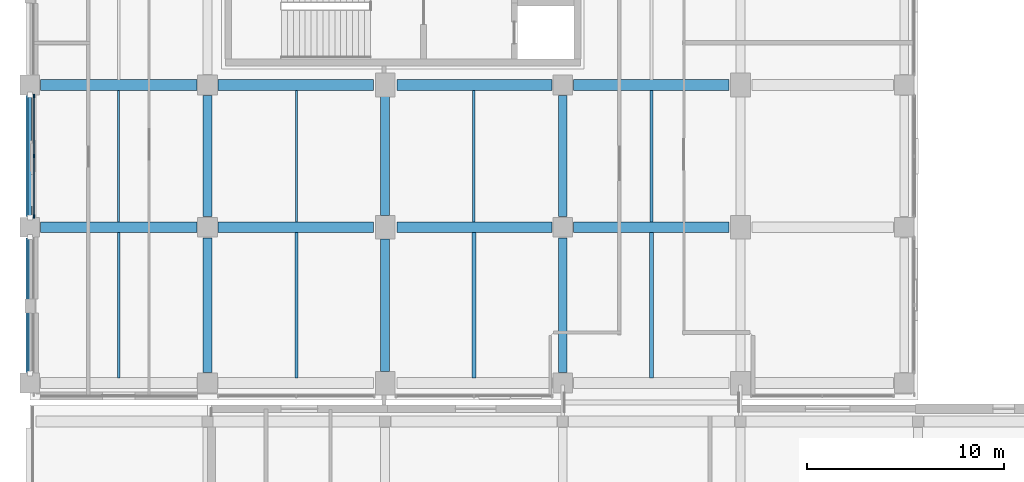
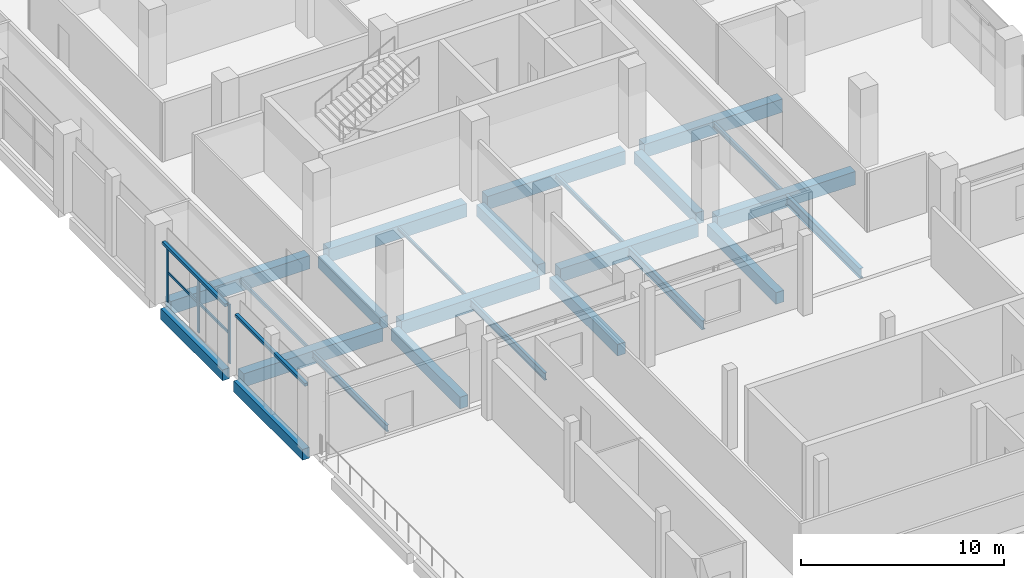
# One storey, part 9 of 111: 24 beams, 7 members, 1 element without a shape of its own.
"""IFC4 building model written with IfcOpenShell, lengths in metres."""

from ifc_helpers import new_model, si_unit, direction, frame, origin, origin_2d, place, context, subcontext, project, spatial, rectangle, hollow_rectangle, i_section, extrude, material, material_profile, profile_set, type_object, element, aggregate, save


model = new_model("IFC4")

# Units and contexts
model_context = context("Model", 3, precision=1e-05, world=origin(), true_north=direction((0.0, 1.0)))
body_context = subcontext(model_context, "Body", "Model", "MODEL_VIEW")
ifc_project = project(units=[si_unit("LENGTHUNIT", "METRE"), si_unit("AREAUNIT", "SQUARE_METRE"), si_unit("VOLUMEUNIT", "CUBIC_METRE"), si_unit("PLANEANGLEUNIT", "RADIAN"), si_unit("MASSUNIT", "GRAM", prefix="KILO"), si_unit("THERMODYNAMICTEMPERATUREUNIT", "KELVIN"), si_unit("POWERUNIT", "WATT")], contexts=[model_context])

# Site, building, storey
site_placement = place(None, origin())
site = spatial("IfcSite", under=ifc_project, at=site_placement, CompositionType="ELEMENT")
building_placement = place(site_placement, origin())
building = spatial("IfcBuilding", under=site, at=building_placement, Name="Sindhuravela Promenade Stadium", CompositionType="ELEMENT")
storey_placement = place(building_placement, frame((0.0, 0.0, 9.60009765625)))
storey = spatial("IfcBuildingStorey", under=building, at=storey_placement, Name="L02", CompositionType="ELEMENT", Elevation=9.60009765625)

# Curtain wall, members
ifc_material_1 = material(Name="Anodised architectural aluminium 6063-T6", Category="aluminium")
curtain_wall_type = type_object("IfcCurtainWallType", Name="CW-MOD-7", PredefinedType="NOTDEFINED", material=ifc_material_1)
curtain_wall_placement = place(storey_placement, origin())
curtain_wall = element("IfcCurtainWall", 1, at=curtain_wall_placement, inside=storey, type_object=curtain_wall_type, Name="Bronze curtain wall CW-WEST-L02-006", PredefinedType="NOTDEFINED")
ifc_material_profile_1 = material_profile(ifc_material_1, rectangle(XDim=0.074951171875, YDim=0.175048828125, at=origin_2d()), Name="ALU MULL 75x175")
ifc_profile_set_1 = profile_set([ifc_material_profile_1], Name="Anodised architectural aluminium 6063-T6")
member_type_1 = type_object("IfcMemberType", Name="CW-MUL-1", PredefinedType="MULLION", material=ifc_profile_set_1)
member_1_placement = place(storey_placement, frame((0.199951171875, 45.550048828125, 0.0), z_axis=(0.0, 0.0, 1.0), x_axis=(1.0, 0.0, 0.0)))
member_1 = element("IfcMember", 2, at=member_1_placement, type_object=member_type_1, Name="Curtain wall mullion CW-WEST-L02-006-M1", PredefinedType="MULLION", context=body_context, shape_type="SweptSolid", body=[
    extrude(rectangle(XDim=0.074951171875, YDim=0.175048828125, at=origin_2d()), origin(), (0.0, 0.0, 1.0), 3.579833984375),
])
member_2_placement = place(storey_placement, frame((0.199951171875, 48.60009765625, 0.0), z_axis=(0.0, 0.0, 1.0), x_axis=(1.0, 0.0, 0.0)))
member_2 = element("IfcMember", 3, at=member_2_placement, type_object=member_type_1, Name="Curtain wall mullion CW-WEST-L02-006-M2", PredefinedType="MULLION", context=body_context, shape_type="SweptSolid", body=[
    extrude(rectangle(XDim=0.074951171875, YDim=0.175048828125, at=origin_2d()), origin(), (0.0, 0.0, 1.0), 3.579833984375),
])
member_3_placement = place(storey_placement, frame((0.199951171875, 51.64990234375, 0.0), z_axis=(0.0, 0.0, 1.0), x_axis=(1.0, 0.0, 0.0)))
member_3 = element("IfcMember", 4, at=member_3_placement, type_object=member_type_1, Name="Curtain wall mullion CW-WEST-L02-006-M3", PredefinedType="MULLION", context=body_context, shape_type="SweptSolid", body=[
    extrude(rectangle(XDim=0.074951171875, YDim=0.175048828125, at=origin_2d()), origin(), (0.0, 0.0, 1.0), 3.579833984375),
])
ifc_material_profile_2 = material_profile(ifc_material_1, rectangle(XDim=0.074951171875, YDim=0.14990234375, at=origin_2d()), Name="ALU TRAN 75x150")
ifc_profile_set_2 = profile_set([ifc_material_profile_2], Name="Anodised architectural aluminium 6063-T6")
member_type_2 = type_object("IfcMemberType", Name="CW-TRN-1", PredefinedType="USERDEFINED", material=ifc_profile_set_2)
member_4_placement = place(storey_placement, frame((0.199951171875, 45.52490234375, 1.789794921875), z_axis=(0.0, 1.0, 0.0), x_axis=(-1.0, 0.0, 0.0)))
member_4 = element("IfcMember", 5, at=member_4_placement, type_object=member_type_2, Name="Curtain wall transom CW-WEST-L02-006-T1", ObjectType="TRANSOM", PredefinedType="USERDEFINED", context=body_context, shape_type="SweptSolid", body=[
    extrude(rectangle(XDim=0.074951171875, YDim=0.14990234375, at=origin_2d()), origin(), (0.0, 0.0, 1.0), 6.150146484375),
])
member_5_placement = place(storey_placement, frame((0.199951171875, 45.52490234375, 3.5), z_axis=(0.0, 1.0, 0.0), x_axis=(-1.0, 0.0, 0.0)))
member_5 = element("IfcMember", 6, at=member_5_placement, type_object=member_type_2, Name="Curtain wall transom CW-WEST-L02-006-T2", ObjectType="TRANSOM", PredefinedType="USERDEFINED", context=body_context, shape_type="SweptSolid", body=[
    extrude(rectangle(XDim=0.074951171875, YDim=0.14990234375, at=origin_2d()), origin(), (0.0, 0.0, 1.0), 6.150146484375),
])
aggregate(curtain_wall, [member_1, member_2, member_3, member_4, member_5])

# Beams
ifc_material_2 = material(Name="Concrete M40", Category="concrete")
ifc_material_profile_3 = material_profile(ifc_material_2, rectangle(XDim=0.39990234375, YDim=0.64990234375, at=origin_2d()), Name="RC 400x650")
ifc_profile_set_3 = profile_set([ifc_material_profile_3], Name="Concrete M40")
beam_type_1 = type_object("IfcBeamType", Name="RC-BM-400x650", PredefinedType="SPANDREL", material=ifc_profile_set_3)
beam_1_placement = place(storey_placement, frame((0.0, 37.639892578125, -0.60498046875), z_axis=(0.0, 1.0, 0.0), x_axis=(-1.0, 0.0, 0.0)))
element("IfcBeam", 7, at=beam_1_placement, inside=storey, type_object=beam_type_1, Name="Primary beam SP01 WEST L02", PredefinedType="SPANDREL", context=body_context, shape_type="SweptSolid", body=[
    extrude(rectangle(XDim=0.39990234375, YDim=0.64990234375, at=origin_2d()), origin(), (0.0, 0.0, 1.0), 6.820068359375),
])
beam_2_placement = place(storey_placement, frame((0.0, 45.5400390625, -0.60498046875), z_axis=(0.0, 1.0, 0.0), x_axis=(-1.0, 0.0, 0.0)))
element("IfcBeam", 8, at=beam_2_placement, inside=storey, type_object=beam_type_1, Name="Primary beam SP01 WEST L02", PredefinedType="SPANDREL", context=body_context, shape_type="SweptSolid", body=[
    extrude(rectangle(XDim=0.39990234375, YDim=0.64990234375, at=origin_2d()), origin(), (0.0, 0.0, 1.0), 6.119873046875),
])
ifc_material_profile_4 = material_profile(ifc_material_2, rectangle(XDim=0.449951171875, YDim=0.699951171875, at=origin_2d()), Name="RC 450x700")
ifc_profile_set_4 = profile_set([ifc_material_profile_4], Name="Concrete M40")
beam_type_2 = type_object("IfcBeamType", Name="RC-BM-450x700", PredefinedType="BEAM", material=ifc_profile_set_4)
beam_3_placement = place(storey_placement, frame((9.0, 37.639892578125, -0.630126953125), z_axis=(0.0, 1.0, 0.0), x_axis=(-1.0, 0.0, 0.0)))
element("IfcBeam", 9, at=beam_3_placement, inside=storey, type_object=beam_type_2, Name="Primary beam GB07 WEST L02", PredefinedType="BEAM", context=body_context, shape_type="SweptSolid", body=[
    extrude(rectangle(XDim=0.449951171875, YDim=0.699951171875, at=origin_2d()), origin(), (0.0, 0.0, 1.0), 6.820068359375),
])
beam_4_placement = place(storey_placement, frame((9.0, 45.5400390625, -0.630126953125), z_axis=(0.0, 1.0, 0.0), x_axis=(-1.0, 0.0, 0.0)))
element("IfcBeam", 10, at=beam_4_placement, inside=storey, type_object=beam_type_2, Name="Primary beam GB07 WEST L02", PredefinedType="BEAM", context=body_context, shape_type="SweptSolid", body=[
    extrude(rectangle(XDim=0.449951171875, YDim=0.699951171875, at=origin_2d()), origin(), (0.0, 0.0, 1.0), 6.119873046875),
])
beam_5_placement = place(storey_placement, frame((18.0, 37.68994140625, -0.630126953125), z_axis=(0.0, 1.0, 0.0), x_axis=(-1.0, 0.0, 0.0)))
element("IfcBeam", 11, at=beam_5_placement, inside=storey, type_object=beam_type_2, Name="Primary beam GB07 WEST L02", PredefinedType="BEAM", context=body_context, shape_type="SweptSolid", body=[
    extrude(rectangle(XDim=0.449951171875, YDim=0.699951171875, at=origin_2d()), origin(), (0.0, 0.0, 1.0), 6.719970703125),
])
beam_6_placement = place(storey_placement, frame((18.0, 45.590087890625, -0.630126953125), z_axis=(0.0, 1.0, 0.0), x_axis=(-1.0, 0.0, 0.0)))
element("IfcBeam", 12, at=beam_6_placement, inside=storey, type_object=beam_type_2, Name="Primary beam GB07 WEST L02", PredefinedType="BEAM", context=body_context, shape_type="SweptSolid", body=[
    extrude(rectangle(XDim=0.449951171875, YDim=0.699951171875, at=origin_2d()), origin(), (0.0, 0.0, 1.0), 6.02001953125),
])
beam_7_placement = place(storey_placement, frame((27.0, 37.639892578125, -0.630126953125), z_axis=(0.0, 1.0, 0.0), x_axis=(-1.0, 0.0, 0.0)))
element("IfcBeam", 13, at=beam_7_placement, inside=storey, type_object=beam_type_2, Name="Primary beam GB07 WEST L02", PredefinedType="BEAM", context=body_context, shape_type="SweptSolid", body=[
    extrude(rectangle(XDim=0.449951171875, YDim=0.699951171875, at=origin_2d()), origin(), (0.0, 0.0, 1.0), 6.820068359375),
])
beam_8_placement = place(storey_placement, frame((27.0, 45.5400390625, -0.630126953125), z_axis=(0.0, 1.0, 0.0), x_axis=(-1.0, 0.0, 0.0)))
element("IfcBeam", 14, at=beam_8_placement, inside=storey, type_object=beam_type_2, Name="Primary beam GB07 WEST L02", PredefinedType="BEAM", context=body_context, shape_type="SweptSolid", body=[
    extrude(rectangle(XDim=0.449951171875, YDim=0.699951171875, at=origin_2d()), origin(), (0.0, 0.0, 1.0), 6.119873046875),
])
ifc_material_profile_5 = material_profile(ifc_material_2, rectangle(XDim=0.550048828125, YDim=0.800048828125, at=origin_2d()), Name="RC 550x800")
ifc_profile_set_5 = profile_set([ifc_material_profile_5], Name="Concrete M40")
beam_type_3 = type_object("IfcBeamType", Name="RC-BM-550x800", PredefinedType="BEAM", material=ifc_profile_set_5)
beam_9_placement = place(storey_placement, frame((0.5400390625, 45.0, -0.68017578125), z_axis=(1.0, 0.0, 0.0), x_axis=(0.0, 1.0, 0.0)))
element("IfcBeam", 15, at=beam_9_placement, inside=storey, type_object=beam_type_3, Name="Primary girder GB05 WEST L02", PredefinedType="BEAM", context=body_context, shape_type="SweptSolid", body=[
    extrude(rectangle(XDim=0.550048828125, YDim=0.800048828125, at=origin_2d()), origin(), (0.0, 0.0, 1.0), 7.919921875),
])
for number, where, z_axis, x_axis, name in (
    (16, (9.5400390625, 45.0, -0.68017578125), (1.0, 0.0, 0.0), (0.0, 1.0, 0.0), "Primary girder GB05 WEST L02"),
    (17, (18.590087890625, 45.0, -0.68017578125), (1.0, 0.0, 0.0), (0.0, 1.0, 0.0), "Primary girder GB05 WEST L02"),
    (18, (27.5400390625, 45.0, -0.68017578125), (1.0, 0.0, 0.0), (0.0, 1.0, 0.0), "Primary girder GB05 WEST L02"),
):
    element("IfcBeam", number, at=place(storey_placement, frame(where, z_axis=z_axis, x_axis=x_axis)), inside=storey, type_object=beam_type_3, Name=name, PredefinedType="BEAM", context=body_context, shape_type="SweptSolid", body=[
        extrude(rectangle(XDim=0.550048828125, YDim=0.800048828125, at=origin_2d()), origin(), (0.0, 0.0, 1.0), 7.869873046875),
    ])
beam_10_placement = place(storey_placement, frame((0.5400390625, 52.199951171875, -0.68017578125), z_axis=(1.0, 0.0, 0.0), x_axis=(0.0, 1.0, 0.0)))
element("IfcBeam", 19, at=beam_10_placement, inside=storey, type_object=beam_type_3, Name="Primary girder GB05 WEST L02", PredefinedType="BEAM", context=body_context, shape_type="SweptSolid", body=[
    extrude(rectangle(XDim=0.550048828125, YDim=0.800048828125, at=origin_2d()), origin(), (0.0, 0.0, 1.0), 7.919921875),
])
for number, where, z_axis, x_axis, name in (
    (20, (9.5400390625, 52.199951171875, -0.68017578125), (1.0, 0.0, 0.0), (0.0, 1.0, 0.0), "Primary girder GB05 WEST L02"),
    (21, (18.590087890625, 52.199951171875, -0.68017578125), (1.0, 0.0, 0.0), (0.0, 1.0, 0.0), "Primary girder GB05 WEST L02"),
    (22, (27.5400390625, 52.199951171875, -0.68017578125), (1.0, 0.0, 0.0), (0.0, 1.0, 0.0), "Primary girder GB05 WEST L02"),
):
    element("IfcBeam", number, at=place(storey_placement, frame(where, z_axis=z_axis, x_axis=x_axis)), inside=storey, type_object=beam_type_3, Name=name, PredefinedType="BEAM", context=body_context, shape_type="SweptSolid", body=[
        extrude(rectangle(XDim=0.550048828125, YDim=0.800048828125, at=origin_2d()), origin(), (0.0, 0.0, 1.0), 7.869873046875),
    ])
ifc_material_3 = material(Name="Steel E350 (IS 2062 E350BR)", Category="steel")
ifc_material_profile_6 = material_profile(ifc_material_3, hollow_rectangle(XDim=0.10009765625, YDim=0.199951171875, WallThickness=0.008056640625, at=origin_2d()), Name="RHS 200x100x8")
ifc_profile_set_6 = profile_set([ifc_material_profile_6], Name="Steel E350 (IS 2062 E350BR)")
beam_type_4 = type_object("IfcBeamType", Name="ST-BM-LNT200", PredefinedType="LINTEL", material=ifc_profile_set_6)
beam_11_placement = place(storey_placement, frame((4.5, 45.264892578125, -0.380126953125), z_axis=(0.0, 1.0, 0.0), x_axis=(-1.0, 0.0, 0.0)))
element("IfcBeam", 23, at=beam_11_placement, inside=storey, type_object=beam_type_4, Name="Secondary floor joist LN01 WEST L02", PredefinedType="LINTEL", context=body_context, shape_type="SweptSolid", body=[
    extrude(hollow_rectangle(XDim=0.10009765625, YDim=0.199951171875, WallThickness=0.008056640625, at=origin_2d()), origin(), (0.0, 0.0, 1.0), 6.670166015625),
])
ifc_material_profile_7 = material_profile(ifc_material_3, i_section(OverallWidth=0.10009765625, OverallDepth=0.199951171875, WebThickness=0.005615234375, FlangeThickness=0.0107421875, FilletRadius=0.010986328125, at=origin_2d()), Name="ISMB 200")
ifc_profile_set_7 = profile_set([ifc_material_profile_7], Name="Steel E350 (IS 2062 E350BR)")
beam_type_5 = type_object("IfcBeamType", Name="ST-BM-MB200", PredefinedType="JOIST", material=ifc_profile_set_7)
beam_12_placement = place(storey_placement, frame((13.5, 45.264892578125, -0.380126953125), z_axis=(0.0, 1.0, 0.0), x_axis=(-1.0, 0.0, 0.0)))
element("IfcBeam", 24, at=beam_12_placement, inside=storey, type_object=beam_type_5, Name="Secondary floor joist SB01 WEST L02", PredefinedType="JOIST", context=body_context, shape_type="SweptSolid", body=[
    extrude(i_section(OverallWidth=0.10009765625, OverallDepth=0.199951171875, WebThickness=0.005615234375, FlangeThickness=0.0107421875, FilletRadius=0.010986328125, at=origin_2d()), origin(), (0.0, 0.0, 1.0), 6.670166015625),
])
ifc_material_profile_8 = material_profile(ifc_material_3, i_section(OverallWidth=0.125, OverallDepth=0.25, WebThickness=0.0068359375, FlangeThickness=0.012451171875, FilletRadius=0.012939453125, at=origin_2d()), Name="ISMB 250")
ifc_profile_set_8 = profile_set([ifc_material_profile_8], Name="Steel E350 (IS 2062 E350BR)")
beam_type_6 = type_object("IfcBeamType", Name="ST-BM-MB250", PredefinedType="JOIST", material=ifc_profile_set_8)
beam_13_placement = place(storey_placement, frame((22.5, 45.264892578125, -0.405029296875), z_axis=(0.0, 1.0, 0.0), x_axis=(-1.0, 0.0, 0.0)))
element("IfcBeam", 25, at=beam_13_placement, inside=storey, type_object=beam_type_6, Name="Secondary floor joist SB02 WEST L02", PredefinedType="JOIST", context=body_context, shape_type="SweptSolid", body=[
    extrude(i_section(OverallWidth=0.125, OverallDepth=0.25, WebThickness=0.0068359375, FlangeThickness=0.012451171875, FilletRadius=0.012939453125, at=origin_2d()), origin(), (0.0, 0.0, 1.0), 6.670166015625),
])
ifc_material_profile_9 = material_profile(ifc_material_3, i_section(OverallWidth=0.139892578125, OverallDepth=0.300048828125, WebThickness=0.0078125, FlangeThickness=0.01318359375, FilletRadius=0.013916015625, at=origin_2d()), Name="ISMB 300")
ifc_profile_set_9 = profile_set([ifc_material_profile_9], Name="Steel E350 (IS 2062 E350BR)")
beam_type_7 = type_object("IfcBeamType", Name="ST-BM-MB300", PredefinedType="JOIST", material=ifc_profile_set_9)
beam_14_placement = place(storey_placement, frame((31.5, 45.264892578125, -0.43017578125), z_axis=(0.0, 1.0, 0.0), x_axis=(-1.0, 0.0, 0.0)))
element("IfcBeam", 26, at=beam_14_placement, inside=storey, type_object=beam_type_7, Name="Secondary floor joist SB03 WEST L02", PredefinedType="JOIST", context=body_context, shape_type="SweptSolid", body=[
    extrude(i_section(OverallWidth=0.139892578125, OverallDepth=0.300048828125, WebThickness=0.0078125, FlangeThickness=0.01318359375, FilletRadius=0.013916015625, at=origin_2d()), origin(), (0.0, 0.0, 1.0), 6.670166015625),
])
ifc_material_profile_10 = material_profile(ifc_material_3, i_section(OverallWidth=0.139892578125, OverallDepth=0.39990234375, WebThickness=0.0087890625, FlangeThickness=0.01611328125, FilletRadius=0.013916015625, at=origin_2d()), Name="ISMB 400")
ifc_profile_set_10 = profile_set([ifc_material_profile_10], Name="Steel E350 (IS 2062 E350BR)")
beam_type_8 = type_object("IfcBeamType", Name="ST-BM-MB400", PredefinedType="BEAM", material=ifc_profile_set_10)
beam_15_placement = place(storey_placement, frame((4.5, 37.364990234375, -0.47998046875), z_axis=(0.0, 1.0, 0.0), x_axis=(-1.0, 0.0, 0.0)))
element("IfcBeam", 27, at=beam_15_placement, inside=storey, type_object=beam_type_8, Name="Secondary floor joist SB05 WEST L02", PredefinedType="BEAM", context=body_context, shape_type="SweptSolid", body=[
    extrude(i_section(OverallWidth=0.139892578125, OverallDepth=0.39990234375, WebThickness=0.0087890625, FlangeThickness=0.01611328125, FilletRadius=0.013916015625, at=origin_2d()), origin(), (0.0, 0.0, 1.0), 7.3701171875),
])
ifc_material_profile_11 = material_profile(ifc_material_3, i_section(OverallWidth=0.14990234375, OverallDepth=0.449951171875, WebThickness=0.009521484375, FlangeThickness=0.017333984375, FilletRadius=0.014892578125, at=origin_2d()), Name="ISMB 450")
ifc_profile_set_11 = profile_set([ifc_material_profile_11], Name="Steel E350 (IS 2062 E350BR)")
beam_type_9 = type_object("IfcBeamType", Name="ST-BM-MB450", PredefinedType="BEAM", material=ifc_profile_set_11)
beam_16_placement = place(storey_placement, frame((13.5, 37.364990234375, -0.505126953125), z_axis=(0.0, 1.0, 0.0), x_axis=(-1.0, 0.0, 0.0)))
element("IfcBeam", 28, at=beam_16_placement, inside=storey, type_object=beam_type_9, Name="Secondary floor joist SB06 WEST L02", PredefinedType="BEAM", context=body_context, shape_type="SweptSolid", body=[
    extrude(i_section(OverallWidth=0.14990234375, OverallDepth=0.449951171875, WebThickness=0.009521484375, FlangeThickness=0.017333984375, FilletRadius=0.014892578125, at=origin_2d()), origin(), (0.0, 0.0, 1.0), 7.3701171875),
])
ifc_material_profile_12 = material_profile(ifc_material_3, i_section(OverallWidth=0.18994140625, OverallDepth=0.550048828125, WebThickness=0.01123046875, FlangeThickness=0.019287109375, FilletRadius=0.01806640625, at=origin_2d()), Name="ISMB 550")
ifc_profile_set_12 = profile_set([ifc_material_profile_12], Name="Steel E350 (IS 2062 E350BR)")
beam_type_10 = type_object("IfcBeamType", Name="ST-BM-MB550", PredefinedType="SPANDREL", material=ifc_profile_set_12)
beam_17_placement = place(storey_placement, frame((22.5, 37.364990234375, -0.55517578125), z_axis=(0.0, 1.0, 0.0), x_axis=(-1.0, 0.0, 0.0)))
element("IfcBeam", 29, at=beam_17_placement, inside=storey, type_object=beam_type_10, Name="Secondary floor joist SB08 WEST L02", PredefinedType="SPANDREL", context=body_context, shape_type="SweptSolid", body=[
    extrude(i_section(OverallWidth=0.18994140625, OverallDepth=0.550048828125, WebThickness=0.01123046875, FlangeThickness=0.019287109375, FilletRadius=0.01806640625, at=origin_2d()), origin(), (0.0, 0.0, 1.0), 7.3701171875),
])
ifc_material_profile_13 = material_profile(ifc_material_3, i_section(OverallWidth=0.2099609375, OverallDepth=0.60009765625, WebThickness=0.011962890625, FlangeThickness=0.020751953125, FilletRadius=0.02001953125, at=origin_2d()), Name="ISMB 600")
ifc_profile_set_13 = profile_set([ifc_material_profile_13], Name="Steel E350 (IS 2062 E350BR)")
beam_type_11 = type_object("IfcBeamType", Name="ST-BM-MB600", PredefinedType="BEAM", material=ifc_profile_set_13)
beam_18_placement = place(storey_placement, frame((31.5, 37.364990234375, -0.580078125), z_axis=(0.0, 1.0, 0.0), x_axis=(-1.0, 0.0, 0.0)))
element("IfcBeam", 30, at=beam_18_placement, inside=storey, type_object=beam_type_11, Name="Secondary floor joist SB09 WEST L02", PredefinedType="BEAM", context=body_context, shape_type="SweptSolid", body=[
    extrude(i_section(OverallWidth=0.2099609375, OverallDepth=0.60009765625, WebThickness=0.011962890625, FlangeThickness=0.020751953125, FilletRadius=0.02001953125, at=origin_2d()), origin(), (0.0, 0.0, 1.0), 7.3701171875),
])

# Members
ifc_material_profile_14 = material_profile(ifc_material_3, hollow_rectangle(XDim=0.179931640625, YDim=0.179931640625, WallThickness=0.010009765625, at=origin_2d()), Name="SHS 180x180x10")
ifc_profile_set_14 = profile_set([ifc_material_profile_14], Name="Steel E350 (IS 2062 E350BR)")
member_type_3 = type_object("IfcMemberType", Name="ST-MB-SHS180", PredefinedType="BRACE", material=ifc_profile_set_14)
member_6_placement = place(storey_placement, frame((0.0, 45.491943359375, 3.599853515625), z_axis=(0.0, 1.0, 0.0), x_axis=(-1.0, 0.0, 0.0)))
element("IfcMember", 31, at=member_6_placement, inside=storey, type_object=member_type_3, Name="Portal tie member MB02-1", PredefinedType="BRACE", context=body_context, shape_type="SweptSolid", body=[
    extrude(hollow_rectangle(XDim=0.179931640625, YDim=0.179931640625, WallThickness=0.010009765625, at=origin_2d()), origin(), (0.0, 0.0, 1.0), 6.216064453125),
])
member_7_placement = place(storey_placement, frame((0.0, 37.592041015625, 3.599853515625), z_axis=(0.0, 1.0, 0.0), x_axis=(-1.0, 0.0, 0.0)))
element("IfcMember", 32, at=member_7_placement, inside=storey, type_object=member_type_3, Name="Portal tie member MB02-6", PredefinedType="BRACE", context=body_context, shape_type="SweptSolid", body=[
    extrude(hollow_rectangle(XDim=0.179931640625, YDim=0.179931640625, WallThickness=0.010009765625, at=origin_2d()), origin(), (0.0, 0.0, 1.0), 6.916015625),
])

save(model, "model.ifc")
